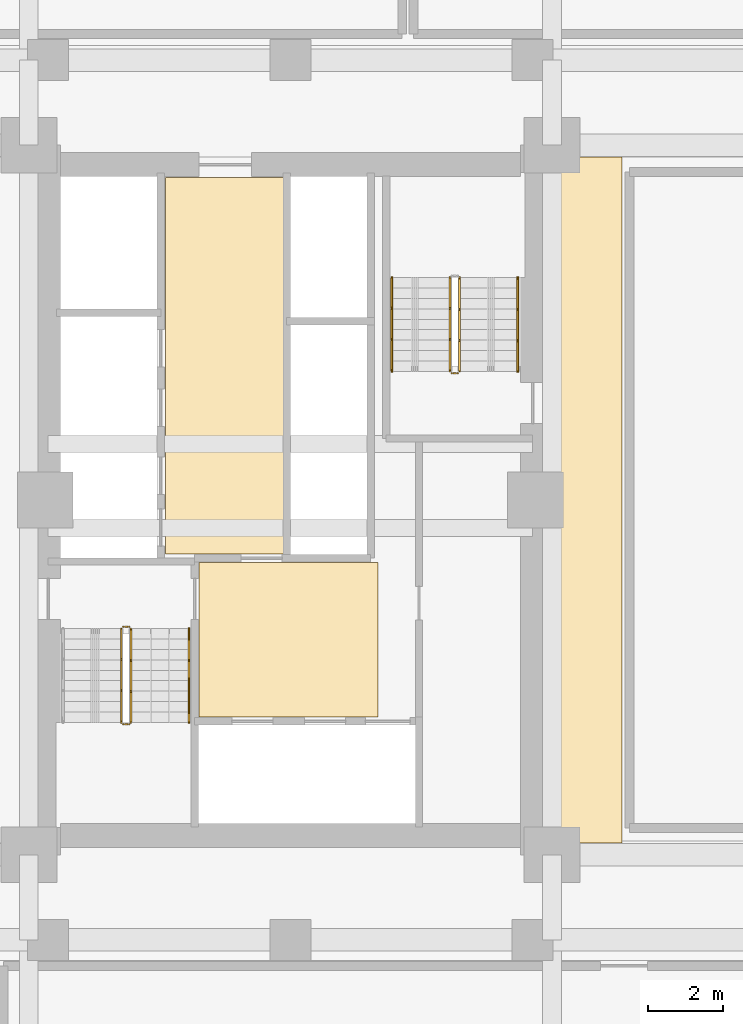
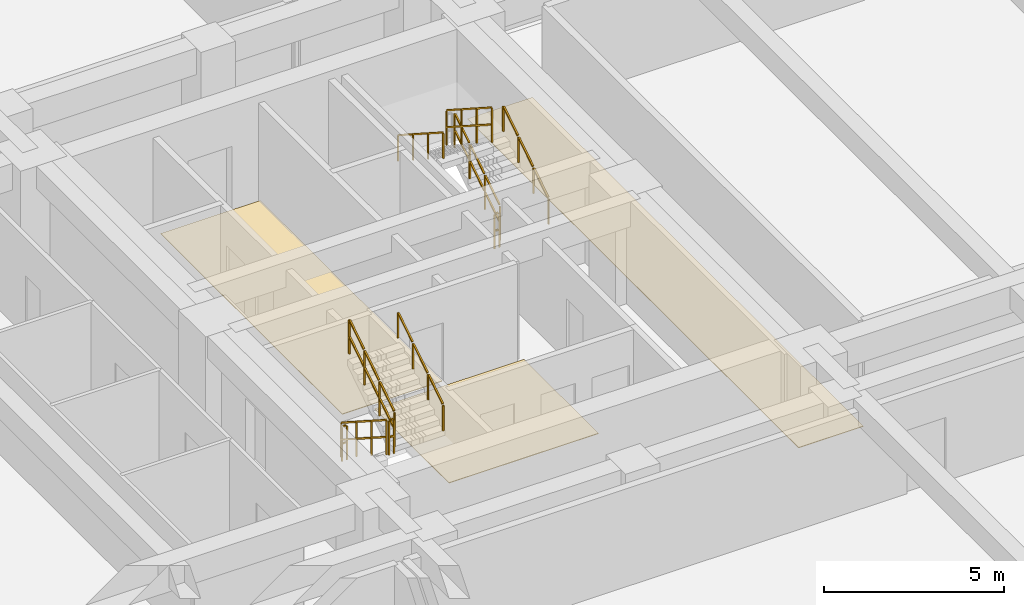
# One storey, part 26 of 30: 10 railings, 3 coverings.
"""IFC4 building model written with IfcOpenShell, lengths in metres."""

from ifc_helpers import new_model, si_unit, direction, frame, origin, origin_2d, place, context, subcontext, project, spatial, polyline, rectangle, outline, extrude, material, layer, layer_set, type_object, element, save


model = new_model("IFC4")

# Units and contexts
model_context = context("Model", 3, precision=1e-05, world=origin(), true_north=direction((0.0, 1.0)))
body_context = subcontext(model_context, "Body", "Model", "MODEL_VIEW")
ifc_project = project(units=[si_unit("LENGTHUNIT", "METRE"), si_unit("AREAUNIT", "SQUARE_METRE"), si_unit("VOLUMEUNIT", "CUBIC_METRE"), si_unit("PLANEANGLEUNIT", "RADIAN"), si_unit("MASSUNIT", "GRAM", prefix="KILO")], contexts=[model_context])

# Site, building, storey
site_placement = place(None, origin())
site = spatial("IfcSite", under=ifc_project, at=site_placement, CompositionType="ELEMENT")
building_placement = place(site_placement, origin())
building = spatial("IfcBuilding", under=site, at=building_placement, Name="Saelheon Loggia Tower", CompositionType="ELEMENT")
storey_placement = place(building_placement, frame((0.0, 0.0, 7.800048828125)))
storey = spatial("IfcBuildingStorey", under=building, at=storey_placement, Name="L02", CompositionType="ELEMENT", Elevation=7.800048828125)

# Coverings
ifc_material_1 = material(Name="Vitrified Porcelain Floor Tile", Category="ceramic")
ifc_layer = layer(ifc_material_1, 0.02001953125)
ifc_layer_set = layer_set([ifc_layer], Name="Vitrified Porcelain Floor Tile")
covering_type = type_object("IfcCoveringType", Name="Cov_Floor_Porcelain", PredefinedType="FLOORING", material=ifc_layer_set)
covering_1_placement = place(storey_placement, origin())
element("IfcCovering", 1, at=covering_1_placement, inside=storey, type_object=covering_type, Name="L02 Corridor Porcelain Flooring", PredefinedType="FLOORING", context=body_context, shape_type="SweptSolid", body=[
    extrude(outline(polyline([(35.550048828125, 21.179931640625), (40.35009765625, 21.179931640625), (40.35009765625, 25.320068359375), (35.550048828125, 25.320068359375), (35.550048828125, 21.179931640625)])), origin(), (0.0, 0.0, 1.0), 0.02001953125),
])
covering_2_placement = place(storey_placement, origin())
element("IfcCovering", 2, at=covering_2_placement, inside=storey, type_object=covering_type, Name="L02 Corridor Porcelain Flooring", PredefinedType="FLOORING", context=body_context, shape_type="SweptSolid", body=[
    extrude(outline(polyline([(34.64990234375, 25.550048828125), (37.85009765625, 25.550048828125), (37.85009765625, 35.64990234375), (34.64990234375, 35.64990234375), (34.64990234375, 25.550048828125)])), origin(), (0.0, 0.0, 1.0), 0.02001953125),
])
covering_3_placement = place(storey_placement, origin())
element("IfcCovering", 3, at=covering_3_placement, inside=storey, type_object=covering_type, Name="L02 Corridor Porcelain Flooring", PredefinedType="FLOORING", context=body_context, shape_type="SweptSolid", body=[
    extrude(outline(polyline([(44.820068359375, 17.800048828125), (46.89990234375, 17.800048828125), (46.89990234375, 36.199951171875), (44.820068359375, 36.199951171875), (44.820068359375, 17.800048828125)])), origin(), (0.0, 0.0, 1.0), 0.02001953125),
])

# Railings
ifc_material_2 = material(Name="Galvanised Steel S275 Stairwell Guardrail", Category="steel")
railing_type_1 = type_object("IfcRailingType", Name="Guard_StairWell_RL_STG", PredefinedType="GUARDRAIL", material=ifc_material_2)
railing_1_placement = place(storey_placement, frame((33.4599609375, 23.550048828125, 0.179931640625)))
element("IfcRailing", 4, at=railing_1_placement, inside=storey, type_object=railing_type_1, Name="L02 ST1 stair guard 1", PredefinedType="GUARDRAIL", context=body_context, shape_type="SweptSolid", body=[
    extrude(rectangle(XDim=0.048095703125, YDim=0.048095703125, at=origin_2d()), frame((0.0, -0.028076171875, 1.19384765625), z_axis=(0.0, -0.841162588446, 0.540782303519), x_axis=(1.0, 0.0, 0.0)), (0.0, 0.0, 1.0), 0.93212890625),
    extrude(rectangle(XDim=0.048095703125, YDim=0.048095703125, at=origin_2d()), frame((0.0, -0.028076171875, 0.617919921875), z_axis=(0.0, -0.841162588446, 0.540782303519), x_axis=(1.0, 0.0, 0.0)), (0.0, 0.0, 1.0), 0.93212890625),
    extrude(rectangle(XDim=0.048095703125, YDim=0.048095703125, at=origin_2d()), frame((0.0, -0.867919921875, 1.73388671875), z_axis=(0.0, -0.841162588446, 0.540782303519), x_axis=(1.0, 0.0, 0.0)), (0.0, 0.0, 1.0), 0.93212890625),
    extrude(rectangle(XDim=0.048095703125, YDim=0.048095703125, at=origin_2d()), frame((0.0, -0.867919921875, 1.157958984375), z_axis=(0.0, -0.841162588446, 0.540782303519), x_axis=(1.0, 0.0, 0.0)), (0.0, 0.0, 1.0), 0.93212890625),
    extrude(rectangle(XDim=0.048095703125, YDim=0.048095703125, at=origin_2d()), frame((0.0, -1.7080078125, 2.27392578125), z_axis=(0.0, -0.841162588446, 0.540782303519), x_axis=(1.0, 0.0, 0.0)), (0.0, 0.0, 1.0), 0.93212890625),
    extrude(rectangle(XDim=0.048095703125, YDim=0.048095703125, at=origin_2d()), frame((0.0, -1.7080078125, 1.697998046875), z_axis=(0.0, -0.841162588446, 0.540782303519), x_axis=(1.0, 0.0, 0.0)), (0.0, 0.0, 1.0), 0.93212890625),
    extrude(rectangle(XDim=0.0419921875, YDim=0.0419921875, at=origin_2d()), origin(), (0.0, 0.0, 1.0), 1.14794921875),
    extrude(rectangle(XDim=0.0419921875, YDim=0.0419921875, at=origin_2d()), frame((0.0, -0.840087890625, 0.5400390625)), (0.0, 0.0, 1.0), 1.14794921875),
    extrude(rectangle(XDim=0.0419921875, YDim=0.0419921875, at=origin_2d()), frame((0.0, -1.679931640625, 1.080078125)), (0.0, 0.0, 1.0), 1.14794921875),
    extrude(rectangle(XDim=0.0419921875, YDim=0.0419921875, at=origin_2d()), frame((0.0, -2.52001953125, 1.6201171875)), (0.0, 0.0, 1.0), 1.14794921875),
])
railing_2_placement = place(storey_placement, frame((33.510009765625, 20.97998046875, 1.800048828125)))
element("IfcRailing", 5, at=railing_2_placement, inside=storey, type_object=railing_type_1, Name="L02 ST1 stair guard 2", PredefinedType="GUARDRAIL", context=body_context, shape_type="SweptSolid", body=[
    extrude(rectangle(XDim=0.048095703125, YDim=0.048095703125, at=origin_2d()), frame((0.033203125, 0.0, 1.17578125), z_axis=(1.0, 0.0, 0.0), x_axis=(0.0, 1.0, 0.0)), (0.0, 0.0, 1.0), 0.093505859375),
    extrude(rectangle(XDim=0.048095703125, YDim=0.048095703125, at=origin_2d()), frame((0.033203125, 0.0, 0.60009765625), z_axis=(1.0, 0.0, 0.0), x_axis=(0.0, 1.0, 0.0)), (0.0, 0.0, 1.0), 0.093505859375),
    extrude(rectangle(XDim=0.0419921875, YDim=0.0419921875, at=origin_2d()), origin(), (0.0, 0.0, 1.0), 1.14794921875),
    extrude(rectangle(XDim=0.0419921875, YDim=0.0419921875, at=origin_2d()), frame((0.159912109375, 0.0, 0.0)), (0.0, 0.0, 1.0), 1.14794921875),
])
railing_3_placement = place(storey_placement, frame((33.719970703125, 21.030029296875, 1.97998046875)))
element("IfcRailing", 6, at=railing_3_placement, inside=storey, type_object=railing_type_1, Name="L02 ST1 stair guard 3", PredefinedType="GUARDRAIL", context=body_context, shape_type="SweptSolid", body=[
    extrude(rectangle(XDim=0.048095703125, YDim=0.048095703125, at=origin_2d()), frame((0.0, 0.028076171875, 1.19384765625), z_axis=(0.0, 0.841199657755, 0.540724639528), x_axis=(-1.0, 0.0, 0.0)), (0.0, 0.0, 1.0), 0.93212890625),
    extrude(rectangle(XDim=0.048095703125, YDim=0.048095703125, at=origin_2d()), frame((0.0, 0.028076171875, 0.617919921875), z_axis=(0.0, 0.841199657755, 0.540724639528), x_axis=(-1.0, 0.0, 0.0)), (0.0, 0.0, 1.0), 0.93212890625),
    extrude(rectangle(XDim=0.048095703125, YDim=0.048095703125, at=origin_2d()), frame((0.0, 0.867919921875, 1.73388671875), z_axis=(0.0, 0.841199657755, 0.540724639528), x_axis=(-1.0, 0.0, 0.0)), (0.0, 0.0, 1.0), 0.93212890625),
    extrude(rectangle(XDim=0.048095703125, YDim=0.048095703125, at=origin_2d()), frame((0.0, 0.867919921875, 1.157958984375), z_axis=(0.0, 0.841199657755, 0.540724639528), x_axis=(-1.0, 0.0, 0.0)), (0.0, 0.0, 1.0), 0.93212890625),
    extrude(rectangle(XDim=0.048095703125, YDim=0.048095703125, at=origin_2d()), frame((0.0, 1.7080078125, 2.273681640625), z_axis=(0.0, 0.841199657755, 0.540724639528), x_axis=(-1.0, 0.0, 0.0)), (0.0, 0.0, 1.0), 0.93212890625),
    extrude(rectangle(XDim=0.048095703125, YDim=0.048095703125, at=origin_2d()), frame((0.0, 1.7080078125, 1.69775390625), z_axis=(0.0, 0.841199657755, 0.540724639528), x_axis=(-1.0, 0.0, 0.0)), (0.0, 0.0, 1.0), 0.93212890625),
    extrude(rectangle(XDim=0.0419921875, YDim=0.0419921875, at=origin_2d()), origin(), (0.0, 0.0, 1.0), 1.14794921875),
    extrude(rectangle(XDim=0.0419921875, YDim=0.0419921875, at=origin_2d()), frame((0.0, 0.840087890625, 0.5400390625)), (0.0, 0.0, 1.0), 1.14794921875),
    extrude(rectangle(XDim=0.0419921875, YDim=0.0419921875, at=origin_2d()), frame((0.0, 1.679931640625, 1.079833984375)), (0.0, 0.0, 1.0), 1.14794921875),
    extrude(rectangle(XDim=0.0419921875, YDim=0.0419921875, at=origin_2d()), frame((0.0, 2.52001953125, 1.619873046875)), (0.0, 0.0, 1.0), 1.14794921875),
])
railing_4_placement = place(storey_placement, frame((33.510009765625, 23.60009765625, 0.0)))
element("IfcRailing", 7, at=railing_4_placement, inside=storey, type_object=railing_type_1, Name="L02 ST1 stair guard 4", PredefinedType="GUARDRAIL", context=body_context, shape_type="SweptSolid", body=[
    extrude(rectangle(XDim=0.048095703125, YDim=0.048095703125, at=origin_2d()), frame((0.033203125, 0.0, 1.17578125), z_axis=(1.0, 0.0, 0.0), x_axis=(0.0, 1.0, 0.0)), (0.0, 0.0, 1.0), 0.093505859375),
    extrude(rectangle(XDim=0.048095703125, YDim=0.048095703125, at=origin_2d()), frame((0.033203125, 0.0, 0.60009765625), z_axis=(1.0, 0.0, 0.0), x_axis=(0.0, 1.0, 0.0)), (0.0, 0.0, 1.0), 0.093505859375),
    extrude(rectangle(XDim=0.0419921875, YDim=0.0419921875, at=origin_2d()), origin(), (0.0, 0.0, 1.0), 1.14794921875),
    extrude(rectangle(XDim=0.0419921875, YDim=0.0419921875, at=origin_2d()), frame((0.159912109375, 0.0, 0.0)), (0.0, 0.0, 1.0), 1.14794921875),
])
railing_5_placement = place(storey_placement, frame((42.5400390625, 30.449951171875, 0.179931640625)))
element("IfcRailing", 8, at=railing_5_placement, inside=storey, type_object=railing_type_1, Name="L02 ST2 stair guard 1", PredefinedType="GUARDRAIL", context=body_context, shape_type="SweptSolid", body=[
    extrude(rectangle(XDim=0.048095703125, YDim=0.048095703125, at=origin_2d()), frame((0.0, 0.028076171875, 1.19384765625), z_axis=(0.0, 0.841162588446, 0.540782303519), x_axis=(-1.0, 0.0, 0.0)), (0.0, 0.0, 1.0), 0.93212890625),
    extrude(rectangle(XDim=0.048095703125, YDim=0.048095703125, at=origin_2d()), frame((0.0, 0.028076171875, 0.617919921875), z_axis=(0.0, 0.841162588446, 0.540782303519), x_axis=(-1.0, 0.0, 0.0)), (0.0, 0.0, 1.0), 0.93212890625),
    extrude(rectangle(XDim=0.048095703125, YDim=0.048095703125, at=origin_2d()), frame((0.0, 0.867919921875, 1.73388671875), z_axis=(0.0, 0.841162588446, 0.540782303519), x_axis=(-1.0, 0.0, 0.0)), (0.0, 0.0, 1.0), 0.93212890625),
    extrude(rectangle(XDim=0.048095703125, YDim=0.048095703125, at=origin_2d()), frame((0.0, 0.867919921875, 1.157958984375), z_axis=(0.0, 0.841162588446, 0.540782303519), x_axis=(-1.0, 0.0, 0.0)), (0.0, 0.0, 1.0), 0.93212890625),
    extrude(rectangle(XDim=0.048095703125, YDim=0.048095703125, at=origin_2d()), frame((0.0, 1.7080078125, 2.27392578125), z_axis=(0.0, 0.841162588446, 0.540782303519), x_axis=(-1.0, 0.0, 0.0)), (0.0, 0.0, 1.0), 0.93212890625),
    extrude(rectangle(XDim=0.048095703125, YDim=0.048095703125, at=origin_2d()), frame((0.0, 1.7080078125, 1.697998046875), z_axis=(0.0, 0.841162588446, 0.540782303519), x_axis=(-1.0, 0.0, 0.0)), (0.0, 0.0, 1.0), 0.93212890625),
    extrude(rectangle(XDim=0.0419921875, YDim=0.0419921875, at=origin_2d()), origin(), (0.0, 0.0, 1.0), 1.14794921875),
    extrude(rectangle(XDim=0.0419921875, YDim=0.0419921875, at=origin_2d()), frame((0.0, 0.840087890625, 0.5400390625)), (0.0, 0.0, 1.0), 1.14794921875),
    extrude(rectangle(XDim=0.0419921875, YDim=0.0419921875, at=origin_2d()), frame((0.0, 1.679931640625, 1.080078125)), (0.0, 0.0, 1.0), 1.14794921875),
    extrude(rectangle(XDim=0.0419921875, YDim=0.0419921875, at=origin_2d()), frame((0.0, 2.52001953125, 1.6201171875)), (0.0, 0.0, 1.0), 1.14794921875),
])
railing_6_placement = place(storey_placement, frame((42.280029296875, 32.969970703125, 1.97998046875)))
element("IfcRailing", 9, at=railing_6_placement, inside=storey, type_object=railing_type_1, Name="L02 ST2 stair guard 3", PredefinedType="GUARDRAIL", context=body_context, shape_type="SweptSolid", body=[
    extrude(rectangle(XDim=0.048095703125, YDim=0.048095703125, at=origin_2d()), frame((0.0, -0.028076171875, 1.19384765625), z_axis=(0.0, -0.841199657755, 0.540724639528), x_axis=(1.0, 0.0, 0.0)), (0.0, 0.0, 1.0), 0.93212890625),
    extrude(rectangle(XDim=0.048095703125, YDim=0.048095703125, at=origin_2d()), frame((0.0, -0.028076171875, 0.617919921875), z_axis=(0.0, -0.841199657755, 0.540724639528), x_axis=(1.0, 0.0, 0.0)), (0.0, 0.0, 1.0), 0.93212890625),
    extrude(rectangle(XDim=0.048095703125, YDim=0.048095703125, at=origin_2d()), frame((0.0, -0.867919921875, 1.73388671875), z_axis=(0.0, -0.841199657755, 0.540724639528), x_axis=(1.0, 0.0, 0.0)), (0.0, 0.0, 1.0), 0.93212890625),
    extrude(rectangle(XDim=0.048095703125, YDim=0.048095703125, at=origin_2d()), frame((0.0, -0.867919921875, 1.157958984375), z_axis=(0.0, -0.841199657755, 0.540724639528), x_axis=(1.0, 0.0, 0.0)), (0.0, 0.0, 1.0), 0.93212890625),
    extrude(rectangle(XDim=0.048095703125, YDim=0.048095703125, at=origin_2d()), frame((0.0, -1.7080078125, 2.273681640625), z_axis=(0.0, -0.841199657755, 0.540724639528), x_axis=(1.0, 0.0, 0.0)), (0.0, 0.0, 1.0), 0.93212890625),
    extrude(rectangle(XDim=0.048095703125, YDim=0.048095703125, at=origin_2d()), frame((0.0, -1.7080078125, 1.69775390625), z_axis=(0.0, -0.841199657755, 0.540724639528), x_axis=(1.0, 0.0, 0.0)), (0.0, 0.0, 1.0), 0.93212890625),
    extrude(rectangle(XDim=0.0419921875, YDim=0.0419921875, at=origin_2d()), origin(), (0.0, 0.0, 1.0), 1.14794921875),
    extrude(rectangle(XDim=0.0419921875, YDim=0.0419921875, at=origin_2d()), frame((0.0, -0.840087890625, 0.5400390625)), (0.0, 0.0, 1.0), 1.14794921875),
    extrude(rectangle(XDim=0.0419921875, YDim=0.0419921875, at=origin_2d()), frame((0.0, -1.679931640625, 1.079833984375)), (0.0, 0.0, 1.0), 1.14794921875),
    extrude(rectangle(XDim=0.0419921875, YDim=0.0419921875, at=origin_2d()), frame((0.0, -2.52001953125, 1.619873046875)), (0.0, 0.0, 1.0), 1.14794921875),
])
railing_7_placement = place(storey_placement, frame((42.489990234375, 30.39990234375, 0.0)))
element("IfcRailing", 10, at=railing_7_placement, inside=storey, type_object=railing_type_1, Name="L02 ST2 stair guard 4", PredefinedType="GUARDRAIL", context=body_context, shape_type="SweptSolid", body=[
    extrude(rectangle(XDim=0.048095703125, YDim=0.048095703125, at=origin_2d()), frame((-0.033203125, 0.0, 1.17578125), z_axis=(-1.0, 0.0, 0.0), x_axis=(0.0, -1.0, 0.0)), (0.0, 0.0, 1.0), 0.093505859375),
    extrude(rectangle(XDim=0.048095703125, YDim=0.048095703125, at=origin_2d()), frame((-0.033203125, 0.0, 0.60009765625), z_axis=(-1.0, 0.0, 0.0), x_axis=(0.0, -1.0, 0.0)), (0.0, 0.0, 1.0), 0.093505859375),
    extrude(rectangle(XDim=0.0419921875, YDim=0.0419921875, at=origin_2d()), origin(), (0.0, 0.0, 1.0), 1.14794921875),
    extrude(rectangle(XDim=0.0419921875, YDim=0.0419921875, at=origin_2d()), frame((-0.159912109375, 0.0, 0.0)), (0.0, 0.0, 1.0), 1.14794921875),
])
ifc_material_3 = material(Name="Stainless Steel 304 Tubular Handrail", Category="steel")
railing_type_2 = type_object("IfcRailingType", Name="Handrail_Stair_RL_HR1", PredefinedType="HANDRAIL", material=ifc_material_3)
railing_8_placement = place(storey_placement, frame((35.280029296875, 21.030029296875, 1.97998046875)))
element("IfcRailing", 11, at=railing_8_placement, inside=storey, type_object=railing_type_2, Name="L02 ST1 stair handrail 2", PredefinedType="HANDRAIL", context=body_context, shape_type="SweptSolid", body=[
    extrude(rectangle(XDim=0.048095703125, YDim=0.048095703125, at=origin_2d()), frame((0.0, 0.028076171875, 0.893798828125), z_axis=(0.0, 0.841199657755, 0.540724639528), x_axis=(-1.0, 0.0, 0.0)), (0.0, 0.0, 1.0), 0.93212890625),
    extrude(rectangle(XDim=0.048095703125, YDim=0.048095703125, at=origin_2d()), frame((0.0, 0.867919921875, 1.433837890625), z_axis=(0.0, 0.841199657755, 0.540724639528), x_axis=(-1.0, 0.0, 0.0)), (0.0, 0.0, 1.0), 0.93212890625),
    extrude(rectangle(XDim=0.048095703125, YDim=0.048095703125, at=origin_2d()), frame((0.0, 1.7080078125, 1.9736328125), z_axis=(0.0, 0.841199657755, 0.540724639528), x_axis=(-1.0, 0.0, 0.0)), (0.0, 0.0, 1.0), 0.93212890625),
    extrude(rectangle(XDim=0.0419921875, YDim=0.0419921875, at=origin_2d()), origin(), (0.0, 0.0, 1.0), 0.847900390625),
    extrude(rectangle(XDim=0.0419921875, YDim=0.0419921875, at=origin_2d()), frame((0.0, 0.840087890625, 0.5400390625)), (0.0, 0.0, 1.0), 0.847900390625),
    extrude(rectangle(XDim=0.0419921875, YDim=0.0419921875, at=origin_2d()), frame((0.0, 1.679931640625, 1.079833984375)), (0.0, 0.0, 1.0), 0.847900390625),
    extrude(rectangle(XDim=0.0419921875, YDim=0.0419921875, at=origin_2d()), frame((0.0, 2.52001953125, 1.619873046875)), (0.0, 0.0, 1.0), 0.847900390625),
])
railing_9_placement = place(storey_placement, frame((44.10009765625, 30.449951171875, 0.179931640625)))
element("IfcRailing", 12, at=railing_9_placement, inside=storey, type_object=railing_type_2, Name="L02 ST2 stair handrail 1", PredefinedType="HANDRAIL", context=body_context, shape_type="SweptSolid", body=[
    extrude(rectangle(XDim=0.048095703125, YDim=0.048095703125, at=origin_2d()), frame((0.0, 0.028076171875, 0.893798828125), z_axis=(0.0, 0.841162588446, 0.540782303519), x_axis=(-1.0, 0.0, 0.0)), (0.0, 0.0, 1.0), 0.93212890625),
    extrude(rectangle(XDim=0.048095703125, YDim=0.048095703125, at=origin_2d()), frame((0.0, 0.867919921875, 1.433837890625), z_axis=(0.0, 0.841162588446, 0.540782303519), x_axis=(-1.0, 0.0, 0.0)), (0.0, 0.0, 1.0), 0.93212890625),
    extrude(rectangle(XDim=0.048095703125, YDim=0.048095703125, at=origin_2d()), frame((0.0, 1.7080078125, 1.973876953125), z_axis=(0.0, 0.841162588446, 0.540782303519), x_axis=(-1.0, 0.0, 0.0)), (0.0, 0.0, 1.0), 0.93212890625),
    extrude(rectangle(XDim=0.0419921875, YDim=0.0419921875, at=origin_2d()), origin(), (0.0, 0.0, 1.0), 0.847900390625),
    extrude(rectangle(XDim=0.0419921875, YDim=0.0419921875, at=origin_2d()), frame((0.0, 0.840087890625, 0.5400390625)), (0.0, 0.0, 1.0), 0.847900390625),
    extrude(rectangle(XDim=0.0419921875, YDim=0.0419921875, at=origin_2d()), frame((0.0, 1.679931640625, 1.080078125)), (0.0, 0.0, 1.0), 0.847900390625),
    extrude(rectangle(XDim=0.0419921875, YDim=0.0419921875, at=origin_2d()), frame((0.0, 2.52001953125, 1.6201171875)), (0.0, 0.0, 1.0), 0.847900390625),
])
railing_10_placement = place(storey_placement, frame((40.719970703125, 32.969970703125, 1.97998046875)))
element("IfcRailing", 13, at=railing_10_placement, inside=storey, type_object=railing_type_2, Name="L02 ST2 stair handrail 2", PredefinedType="HANDRAIL", context=body_context, shape_type="SweptSolid", body=[
    extrude(rectangle(XDim=0.048095703125, YDim=0.048095703125, at=origin_2d()), frame((0.0, -0.028076171875, 0.893798828125), z_axis=(0.0, -0.841199657755, 0.540724639528), x_axis=(1.0, 0.0, 0.0)), (0.0, 0.0, 1.0), 0.93212890625),
    extrude(rectangle(XDim=0.048095703125, YDim=0.048095703125, at=origin_2d()), frame((0.0, -0.867919921875, 1.433837890625), z_axis=(0.0, -0.841199657755, 0.540724639528), x_axis=(1.0, 0.0, 0.0)), (0.0, 0.0, 1.0), 0.93212890625),
    extrude(rectangle(XDim=0.048095703125, YDim=0.048095703125, at=origin_2d()), frame((0.0, -1.7080078125, 1.9736328125), z_axis=(0.0, -0.841199657755, 0.540724639528), x_axis=(1.0, 0.0, 0.0)), (0.0, 0.0, 1.0), 0.93212890625),
    extrude(rectangle(XDim=0.0419921875, YDim=0.0419921875, at=origin_2d()), origin(), (0.0, 0.0, 1.0), 0.847900390625),
    extrude(rectangle(XDim=0.0419921875, YDim=0.0419921875, at=origin_2d()), frame((0.0, -0.840087890625, 0.5400390625)), (0.0, 0.0, 1.0), 0.847900390625),
    extrude(rectangle(XDim=0.0419921875, YDim=0.0419921875, at=origin_2d()), frame((0.0, -1.679931640625, 1.079833984375)), (0.0, 0.0, 1.0), 0.847900390625),
    extrude(rectangle(XDim=0.0419921875, YDim=0.0419921875, at=origin_2d()), frame((0.0, -2.52001953125, 1.619873046875)), (0.0, 0.0, 1.0), 0.847900390625),
])

save(model, "model.ifc")
